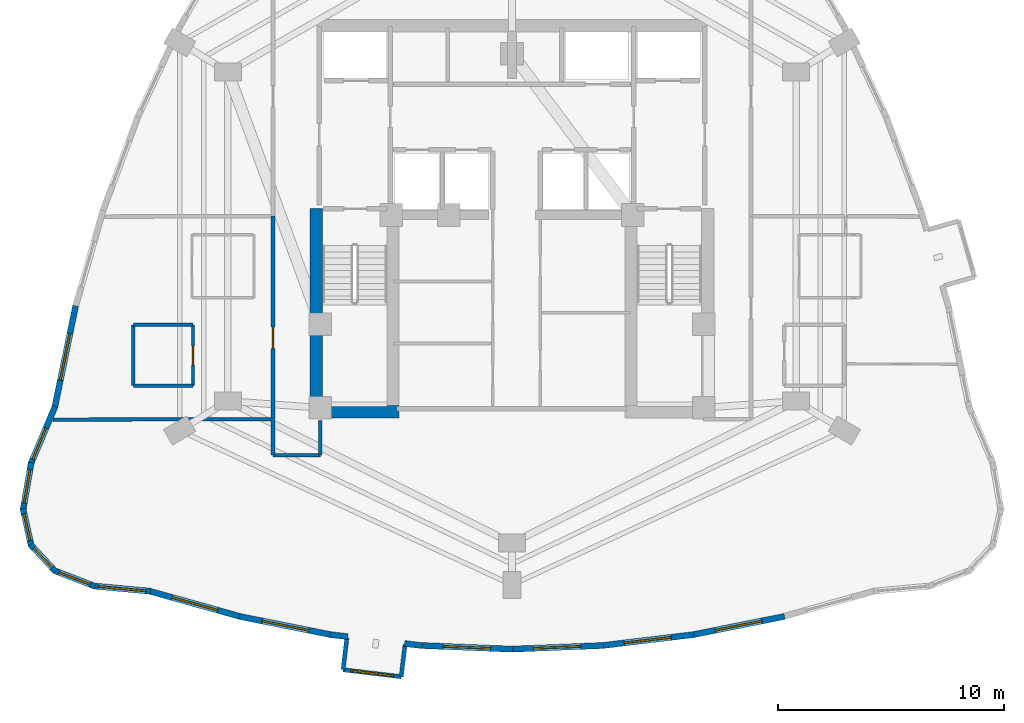
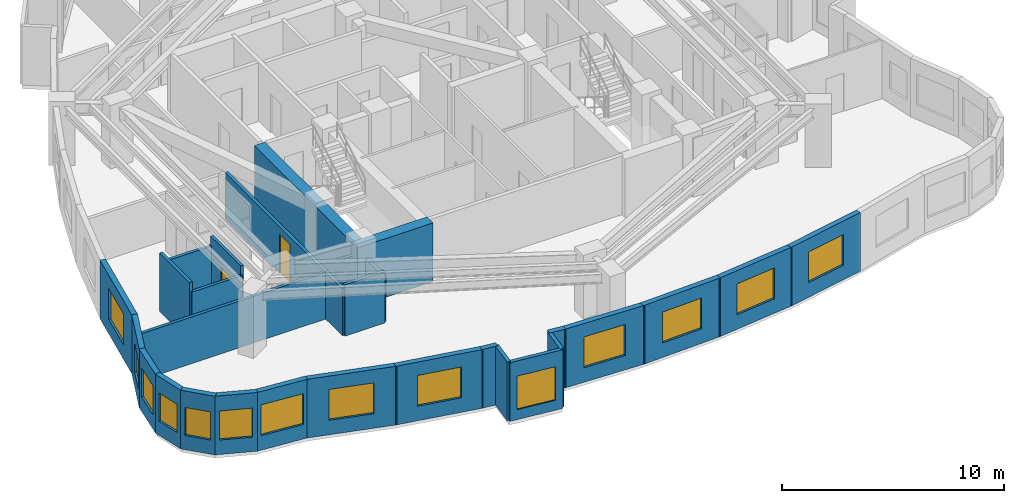
# One storey, part 3 of 9: 29 walls, 14 windows, 2 doors, 16 openings.
"""IFC4 building model written with IfcOpenShell, lengths in metres."""

from ifc_helpers import new_model, si_unit, direction, frame, frame_2d, origin, place, context, subcontext, project, spatial, rectangle, extrude, material, layer, layer_set, type_object, element, fill, save


model = new_model("IFC4")

# Units and contexts
model_context = context("Model", 3, precision=1e-05, world=origin(), true_north=direction((0.0, 1.0)))
body_context = subcontext(model_context, "Body", "Model", "MODEL_VIEW")
ifc_project = project(units=[si_unit("LENGTHUNIT", "METRE"), si_unit("AREAUNIT", "SQUARE_METRE"), si_unit("VOLUMEUNIT", "CUBIC_METRE"), si_unit("PLANEANGLEUNIT", "RADIAN"), si_unit("MASSUNIT", "GRAM", prefix="KILO")], contexts=[model_context])

# Site, building, storey
site_placement = place(None, origin())
site = spatial("IfcSite", under=ifc_project, at=site_placement, CompositionType="ELEMENT")
building_placement = place(site_placement, origin())
building = spatial("IfcBuilding", under=site, at=building_placement, Name="Miruveldt Soraemaru", CompositionType="ELEMENT")
storey_placement = place(building_placement, frame((0.0, 0.0, 135.39990234375)))
storey = spatial("IfcBuildingStorey", under=building, at=storey_placement, Name="L37", CompositionType="ELEMENT", Elevation=135.39990234375)

# Walls
ifc_material_1 = material(Name="White powder-coated aluminium EN AW-6060 T6", Category="aluminium")
ifc_layer_1 = layer(ifc_material_1, 0.18994140625, Name="White powder-coated aluminium EN AW-6060 T6", Category="aluminium")
ifc_layer_set_1 = layer_set([ifc_layer_1], Name="White powder-coated aluminium EN AW-6060 T6")
wall_type_1 = type_object("IfcWallType", Name="WALL-BAY-ALU190", PredefinedType="SOLIDWALL", material=ifc_layer_set_1)
for number, where, z_axis, x_axis, name in (
    (1, (36.677734375, 25.29931640625, 0.0), (0.0, 0.0, 1.0), (-0.119057405757, -0.992887372331, 0.0), "L37 Bay Window Side Cheek 1L"),
    (2, (39.089599609375, 23.574462890625, 0.0), (0.0, 0.0, 1.0), (0.119057405757, 0.992887372331, 0.0), "L37 Bay Window Side Cheek 1R"),
):
    element("IfcWall", number, at=place(storey_placement, frame(where, z_axis=z_axis, x_axis=x_axis)), inside=storey, type_object=wall_type_1, Name=name, PredefinedType="SOLIDWALL", context=body_context, shape_type="SweptSolid", body=[
        extrude(rectangle(XDim=1.42529296875, YDim=0.18994140625, at=frame_2d((0.712646484375, 0.0))), origin(), (0.0, 0.0, 1.0), 3.235107421875),
    ])

# Wall, opening, window
wall_1_placement = place(storey_placement, frame((36.508056640625, 23.88427734375, 0.0), z_axis=(0.0, 0.0, 1.0), x_axis=(0.99287550549, -0.119156328397, 0.0)))
wall_1 = element("IfcWall", 3, at=wall_1_placement, inside=storey, type_object=wall_type_1, Name="L37 Bay Window Front Frame 1", PredefinedType="SOLIDWALL", context=body_context, shape_type="SweptSolid", body=[
    extrude(rectangle(XDim=2.60009765625, YDim=0.18994140625, at=frame_2d((1.300048828125, 0.0))), origin(), (0.0, 0.0, 1.0), 3.235107421875),
])
opening_1_placement = place(wall_1_placement, frame((0.35009765625, 0.0, 0.550048828125)))
opening_1 = element("IfcOpeningElement", 4, at=opening_1_placement, cuts=wall_1, Name="Opening WN-6", PredefinedType="OPENING", context=body_context, shape_type="SweptSolid", body=[
    extrude(rectangle(XDim=1.89990234375, YDim=1.85009765625, at=frame_2d((0.949951171875, 0.925048828125))), frame((0.0, 0.10498046875, 0.0), z_axis=(0.0, -1.0, 0.0), x_axis=(1.0, 0.0, 0.0)), (0.0, 0.0, 1.0), 0.2099609375),
])
ifc_material_2 = material(Name="Triple low-e insulated glazing", Category="glass")
window_type_1 = type_object("IfcWindowType", Name="WIN-BAYW-1900x1850", PartitioningType="SINGLE_PANEL", PredefinedType="WINDOW", material=ifc_material_2)
window_1_placement = place(opening_1_placement, origin())
window_1 = element("IfcWindow", 5, at=window_1_placement, inside=storey, type_object=window_type_1, Name="L37 Projecting Bay Window 1", OverallHeight=1.85009765625, OverallWidth=1.89990234375, PartitioningType="SINGLE_PANEL", PredefinedType="WINDOW", context=body_context, shape_type="SweptSolid", body=[
    extrude(rectangle(XDim=1.89990234375, YDim=1.85009765625, at=frame_2d((0.949951171875, 0.925048828125))), frame((0.0, 0.030029296875, 0.0), z_axis=(0.0, -1.0, 0.0), x_axis=(1.0, 0.0, 0.0)), (0.0, 0.0, 1.0), 0.06005859375),
])
fill(opening_1, window_1)

# Walls
ifc_material_3 = material(Name="Concrete C70/85 (70 MPa)", Category="concrete")
ifc_layer_2 = layer(ifc_material_3, 0.550048828125, Name="Concrete C70/85 (70 MPa)", Category="concrete")
ifc_layer_set_2 = layer_set([ifc_layer_2], Name="Concrete C70/85 (70 MPa)")
wall_type_2 = type_object("IfcWallType", Name="WALL-CW-550", PredefinedType="SHEAR", material=ifc_layer_set_2)
wall_2_placement = place(storey_placement, frame((35.050048828125, 35.324951171875, 0.0), z_axis=(0.0, 0.0, 1.0), x_axis=(1.0, 0.0, 0.0)))
element("IfcWall", 6, at=wall_2_placement, inside=storey, type_object=wall_type_2, Name="L37 Central Core Shear Wall S1", PredefinedType="SHEAR", context=body_context, shape_type="SweptSolid", body=[
    extrude(rectangle(XDim=3.949951171875, YDim=0.550048828125, at=frame_2d((1.97509765625, 0.0))), origin(), (0.0, 0.0, 1.0), 3.235107421875),
])
wall_3_placement = place(storey_placement, frame((35.324951171875, 35.050048828125, 0.0), z_axis=(0.0, 0.0, 1.0), x_axis=(0.0, 1.0, 0.0)))
element("IfcWall", 7, at=wall_3_placement, inside=storey, type_object=wall_type_2, Name="L37 Central Core Shear Wall W1", PredefinedType="SHEAR", context=body_context, shape_type="SweptSolid", body=[
    extrude(rectangle(XDim=9.300048828125, YDim=0.550048828125, at=frame_2d((4.64990234375, 0.0))), origin(), (0.0, 0.0, 1.0), 3.235107421875),
])

# Wall, opening, window
ifc_material_4 = material(Name="Precast concrete C45/55 (45 MPa)", Category="concrete")
ifc_layer_3 = layer(ifc_material_4, 0.27001953125, Name="Precast concrete C45/55 (45 MPa)", Category="concrete")
ifc_layer_set_3 = layer_set([ifc_layer_3], Name="Precast concrete C45/55 (45 MPa)")
wall_type_3 = type_object("IfcWallType", Name="WALL-EXT-PC270", PredefinedType="SOLIDWALL", material=ifc_layer_set_3)
wall_4_placement = place(storey_placement, frame((24.6494140625, 40.02490234375, 0.0), z_axis=(0.0, 0.0, 1.0), x_axis=(-0.201588826085, -0.979470237015, 0.0)))
wall_4 = element("IfcWall", 8, at=wall_4_placement, inside=storey, type_object=wall_type_3, Name="L37 Precast Concrete Facade Wall 14", PredefinedType="SOLIDWALL", context=body_context, shape_type="SweptSolid", body=[
    extrude(rectangle(XDim=4.62158203125, YDim=0.27001953125, at=frame_2d((2.310791015625, 0.0))), origin(), (0.0, 0.0, 1.0), 3.235107421875),
])
opening_2_placement = place(wall_4_placement, frame((1.260986328125, 0.0, 0.800048828125)))
opening_2 = element("IfcOpeningElement", 9, at=opening_2_placement, cuts=wall_4, Name="Opening WN-1", PredefinedType="OPENING", context=body_context, shape_type="SweptSolid", body=[
    extrude(rectangle(XDim=2.10009765625, YDim=1.699951171875, at=frame_2d((1.050048828125, 0.85009765625))), frame((0.0, 0.14501953125, 0.0), z_axis=(0.0, -1.0, 0.0), x_axis=(1.0, 0.0, 0.0)), (0.0, 0.0, 1.0), 0.2900390625),
])
window_type_2 = type_object("IfcWindowType", Name="WIN-PUNCH-2100x1700", PartitioningType="SINGLE_PANEL", PredefinedType="WINDOW", material=ifc_material_2)
window_2_placement = place(opening_2_placement, origin())
window_2 = element("IfcWindow", 10, at=window_2_placement, inside=storey, type_object=window_type_2, Name="L37 Punched Triple-Glazed Window 14.1", OverallHeight=1.699951171875, OverallWidth=2.10009765625, PartitioningType="SINGLE_PANEL", PredefinedType="WINDOW", context=body_context, shape_type="SweptSolid", body=[
    extrude(rectangle(XDim=2.10009765625, YDim=1.699951171875, at=frame_2d((1.050048828125, 0.85009765625))), frame((0.0, 0.030029296875, 0.0), z_axis=(0.0, -1.0, 0.0), x_axis=(1.0, 0.0, 0.0)), (0.0, 0.0, 1.0), 0.06005859375),
])
fill(opening_2, window_2)

wall_5_placement = place(storey_placement, frame((23.73828125, 35.564697265625, 0.0), z_axis=(0.0, 0.0, 1.0), x_axis=(-0.38861888623, -0.921398589789, 0.0)))
wall_5 = element("IfcWall", 11, at=wall_5_placement, inside=storey, type_object=wall_type_3, Name="L37 Precast Concrete Facade Wall 15", PredefinedType="SOLIDWALL", context=body_context, shape_type="SweptSolid", body=[
    extrude(rectangle(XDim=2.77734375, YDim=0.27001953125, at=frame_2d((1.388671875, 0.0))), origin(), (0.0, 0.0, 1.0), 3.235107421875),
])
opening_3_placement = place(wall_5_placement, frame((1.047119140625, 0.0, 0.800048828125)))
opening_3 = element("IfcOpeningElement", 12, at=opening_3_placement, cuts=wall_5, Name="Opening WN-3", PredefinedType="OPENING", context=body_context, shape_type="SweptSolid", body=[
    extrude(rectangle(XDim=1.5, YDim=1.60009765625, at=frame_2d((0.75, 0.800048828125))), frame((0.0, 0.14501953125, 0.0), z_axis=(0.0, -1.0, 0.0), x_axis=(1.0, 0.0, 0.0)), (0.0, 0.0, 1.0), 0.2900390625),
])
window_type_3 = type_object("IfcWindowType", Name="WIN-PUNCH-1500x1600", PartitioningType="SINGLE_PANEL", PredefinedType="WINDOW", material=ifc_material_2)
window_3_placement = place(opening_3_placement, origin())
window_3 = element("IfcWindow", 13, at=window_3_placement, inside=storey, type_object=window_type_3, Name="L37 Punched Triple-Glazed Window 15.1", OverallHeight=1.60009765625, OverallWidth=1.5, PartitioningType="SINGLE_PANEL", PredefinedType="WINDOW", context=body_context, shape_type="SweptSolid", body=[
    extrude(rectangle(XDim=1.5, YDim=1.60009765625, at=frame_2d((0.75, 0.800048828125))), frame((0.0, 0.030029296875, 0.0), z_axis=(0.0, -1.0, 0.0), x_axis=(1.0, 0.0, 0.0)), (0.0, 0.0, 1.0), 0.06005859375),
])
fill(opening_3, window_3)

wall_6_placement = place(storey_placement, frame((22.678466796875, 33.072265625, 0.0), z_axis=(0.0, 0.0, 1.0), x_axis=(-0.169334105823, -0.985558704799, 0.0)))
wall_6 = element("IfcWall", 14, at=wall_6_placement, inside=storey, type_object=wall_type_3, Name="L37 Precast Concrete Facade Wall 16", PredefinedType="SOLIDWALL", context=body_context, shape_type="SweptSolid", body=[
    extrude(rectangle(XDim=2.14111328125, YDim=0.27001953125, at=frame_2d((1.070556640625, 0.0))), origin(), (0.0, 0.0, 1.0), 3.235107421875),
])
opening_4_placement = place(wall_6_placement, frame((0.321044921875, 0.0, 0.800048828125)))
opening_4 = element("IfcOpeningElement", 15, at=opening_4_placement, cuts=wall_6, Name="Opening WN-3", PredefinedType="OPENING", context=body_context, shape_type="SweptSolid", body=[
    extrude(rectangle(XDim=1.5, YDim=1.60009765625, at=frame_2d((0.75, 0.800048828125))), frame((0.0, 0.14501953125, 0.0), z_axis=(0.0, -1.0, 0.0), x_axis=(1.0, 0.0, 0.0)), (0.0, 0.0, 1.0), 0.2900390625),
])
window_4_placement = place(opening_4_placement, origin())
window_4 = element("IfcWindow", 16, at=window_4_placement, inside=storey, type_object=window_type_3, Name="L37 Punched Triple-Glazed Window 16.1", OverallHeight=1.60009765625, OverallWidth=1.5, PartitioningType="SINGLE_PANEL", PredefinedType="WINDOW", context=body_context, shape_type="SweptSolid", body=[
    extrude(rectangle(XDim=1.5, YDim=1.60009765625, at=frame_2d((0.75, 0.800048828125))), frame((0.0, 0.030029296875, 0.0), z_axis=(0.0, -1.0, 0.0), x_axis=(1.0, 0.0, 0.0)), (0.0, 0.0, 1.0), 0.06005859375),
])
fill(opening_4, window_4)

wall_7_placement = place(storey_placement, frame((22.314453125, 31.03076171875, 0.0), z_axis=(0.0, 0.0, 1.0), x_axis=(0.215649887065, -0.976470750309, 0.0)))
wall_7 = element("IfcWall", 17, at=wall_7_placement, inside=storey, type_object=wall_type_3, Name="L37 Precast Concrete Facade Wall 17", PredefinedType="SOLIDWALL", context=body_context, shape_type="SweptSolid", body=[
    extrude(rectangle(XDim=1.69580078125, YDim=0.27001953125, at=frame_2d((0.847900390625, 0.0))), origin(), (0.0, 0.0, 1.0), 3.235107421875),
])
opening_5_placement = place(wall_7_placement, frame((0.248046875, 0.0, 0.780029296875)))
opening_5 = element("IfcOpeningElement", 18, at=opening_5_placement, cuts=wall_7, Name="Opening WN-4", PredefinedType="OPENING", context=body_context, shape_type="SweptSolid", body=[
    extrude(rectangle(XDim=1.199951171875, YDim=1.550048828125, at=frame_2d((0.60009765625, 0.77490234375))), frame((0.0, 0.14501953125, 0.0), z_axis=(0.0, -1.0, 0.0), x_axis=(1.0, 0.0, 0.0)), (0.0, 0.0, 1.0), 0.2900390625),
])
window_type_4 = type_object("IfcWindowType", Name="WIN-PUNCH-1200x1550", PartitioningType="SINGLE_PANEL", PredefinedType="WINDOW", material=ifc_material_2)
window_5_placement = place(opening_5_placement, origin())
window_5 = element("IfcWindow", 19, at=window_5_placement, inside=storey, type_object=window_type_4, Name="L37 Punched Triple-Glazed Window 17.1", OverallHeight=1.550048828125, OverallWidth=1.199951171875, PartitioningType="SINGLE_PANEL", PredefinedType="WINDOW", context=body_context, shape_type="SweptSolid", body=[
    extrude(rectangle(XDim=1.199951171875, YDim=1.550048828125, at=frame_2d((0.60009765625, 0.77490234375))), frame((0.0, 0.030029296875, 0.0), z_axis=(0.0, -1.0, 0.0), x_axis=(1.0, 0.0, 0.0)), (0.0, 0.0, 1.0), 0.06005859375),
])
fill(opening_5, window_5)

wall_8_placement = place(storey_placement, frame((22.648681640625, 29.434814453125, 0.0), z_axis=(0.0, 0.0, 1.0), x_axis=(0.680115173662, -0.733105279312, 0.0)))
wall_8 = element("IfcWall", 20, at=wall_8_placement, inside=storey, type_object=wall_type_3, Name="L37 Precast Concrete Facade Wall 18", PredefinedType="SOLIDWALL", context=body_context, shape_type="SweptSolid", body=[
    extrude(rectangle(XDim=1.6171875, YDim=0.27001953125, at=frame_2d((0.80859375, 0.0))), origin(), (0.0, 0.0, 1.0), 3.235107421875),
])
opening_6_placement = place(wall_8_placement, frame((0.208984375, 0.0, 0.780029296875)))
opening_6 = element("IfcOpeningElement", 21, at=opening_6_placement, cuts=wall_8, Name="Opening WN-4", PredefinedType="OPENING", context=body_context, shape_type="SweptSolid", body=[
    extrude(rectangle(XDim=1.199951171875, YDim=1.550048828125, at=frame_2d((0.60009765625, 0.77490234375))), frame((0.0, 0.14501953125, 0.0), z_axis=(0.0, -1.0, 0.0), x_axis=(1.0, 0.0, 0.0)), (0.0, 0.0, 1.0), 0.2900390625),
])
window_6_placement = place(opening_6_placement, origin())
window_6 = element("IfcWindow", 22, at=window_6_placement, inside=storey, type_object=window_type_4, Name="L37 Punched Triple-Glazed Window 18.1", OverallHeight=1.550048828125, OverallWidth=1.199951171875, PartitioningType="SINGLE_PANEL", PredefinedType="WINDOW", context=body_context, shape_type="SweptSolid", body=[
    extrude(rectangle(XDim=1.199951171875, YDim=1.550048828125, at=frame_2d((0.60009765625, 0.77490234375))), frame((0.0, 0.030029296875, 0.0), z_axis=(0.0, -1.0, 0.0), x_axis=(1.0, 0.0, 0.0)), (0.0, 0.0, 1.0), 0.06005859375),
])
fill(opening_6, window_6)

wall_9_placement = place(storey_placement, frame((23.692138671875, 28.28759765625, 0.0), z_axis=(0.0, 0.0, 1.0), x_axis=(0.932267447774, -0.361769824364, 0.0)))
wall_9 = element("IfcWall", 23, at=wall_9_placement, inside=storey, type_object=wall_type_3, Name="L37 Precast Concrete Facade Wall 19", PredefinedType="SOLIDWALL", context=body_context, shape_type="SweptSolid", body=[
    extrude(rectangle(XDim=1.950927734375, YDim=0.27001953125, at=frame_2d((0.9755859375, 0.0))), origin(), (0.0, 0.0, 1.0), 3.235107421875),
])
opening_7_placement = place(wall_9_placement, frame((0.22509765625, 0.0, 0.800048828125)))
opening_7 = element("IfcOpeningElement", 24, at=opening_7_placement, cuts=wall_9, Name="Opening WN-3", PredefinedType="OPENING", context=body_context, shape_type="SweptSolid", body=[
    extrude(rectangle(XDim=1.5, YDim=1.60009765625, at=frame_2d((0.75, 0.800048828125))), frame((0.0, 0.14501953125, 0.0), z_axis=(0.0, -1.0, 0.0), x_axis=(1.0, 0.0, 0.0)), (0.0, 0.0, 1.0), 0.2900390625),
])
window_7_placement = place(opening_7_placement, origin())
window_7 = element("IfcWindow", 25, at=window_7_placement, inside=storey, type_object=window_type_3, Name="L37 Punched Triple-Glazed Window 19.1", OverallHeight=1.60009765625, OverallWidth=1.5, PartitioningType="SINGLE_PANEL", PredefinedType="WINDOW", context=body_context, shape_type="SweptSolid", body=[
    extrude(rectangle(XDim=1.5, YDim=1.60009765625, at=frame_2d((0.75, 0.800048828125))), frame((0.0, 0.030029296875, 0.0), z_axis=(0.0, -1.0, 0.0), x_axis=(1.0, 0.0, 0.0)), (0.0, 0.0, 1.0), 0.06005859375),
])
fill(opening_7, window_7)

wall_10_placement = place(storey_placement, frame((25.443603515625, 27.597900390625, 0.0), z_axis=(0.0, 0.0, 1.0), x_axis=(0.995754739811, -0.092046173976, 0.0)))
wall_10 = element("IfcWall", 26, at=wall_10_placement, inside=storey, type_object=wall_type_3, Name="L37 Precast Concrete Facade Wall 20", PredefinedType="SOLIDWALL", context=body_context, shape_type="SweptSolid", body=[
    extrude(rectangle(XDim=2.53564453125, YDim=0.27001953125, at=frame_2d((1.267822265625, 0.0))), origin(), (0.0, 0.0, 1.0), 3.235107421875),
])
opening_8_placement = place(wall_10_placement, frame((0.218017578125, 0.0, 0.800048828125)))
opening_8 = element("IfcOpeningElement", 27, at=opening_8_placement, cuts=wall_10, Name="Opening WN-1", PredefinedType="OPENING", context=body_context, shape_type="SweptSolid", body=[
    extrude(rectangle(XDim=2.10009765625, YDim=1.699951171875, at=frame_2d((1.050048828125, 0.85009765625))), frame((0.0, 0.14501953125, 0.0), z_axis=(0.0, -1.0, 0.0), x_axis=(1.0, 0.0, 0.0)), (0.0, 0.0, 1.0), 0.2900390625),
])
window_8_placement = place(opening_8_placement, origin())
window_8 = element("IfcWindow", 28, at=window_8_placement, inside=storey, type_object=window_type_2, Name="L37 Punched Triple-Glazed Window 20.1", OverallHeight=1.699951171875, OverallWidth=2.10009765625, PartitioningType="SINGLE_PANEL", PredefinedType="WINDOW", context=body_context, shape_type="SweptSolid", body=[
    extrude(rectangle(XDim=2.10009765625, YDim=1.699951171875, at=frame_2d((1.050048828125, 0.85009765625))), frame((0.0, 0.030029296875, 0.0), z_axis=(0.0, -1.0, 0.0), x_axis=(1.0, 0.0, 0.0)), (0.0, 0.0, 1.0), 0.06005859375),
])
fill(opening_8, window_8)

wall_11_placement = place(storey_placement, frame((27.89990234375, 27.377197265625, 0.0), z_axis=(0.0, 0.0, 1.0), x_axis=(0.962976574029, -0.269585084659, 0.0)))
wall_11 = element("IfcWall", 29, at=wall_11_placement, inside=storey, type_object=wall_type_3, Name="L37 Precast Concrete Facade Wall 21", PredefinedType="SOLIDWALL", context=body_context, shape_type="SweptSolid", body=[
    extrude(rectangle(XDim=4.240966796875, YDim=0.27001953125, at=frame_2d((2.12060546875, 0.0))), origin(), (0.0, 0.0, 1.0), 3.235107421875),
])
opening_9_placement = place(wall_11_placement, frame((1.070068359375, 0.0, 0.800048828125)))
opening_9 = element("IfcOpeningElement", 30, at=opening_9_placement, cuts=wall_11, Name="Opening WN-1", PredefinedType="OPENING", context=body_context, shape_type="SweptSolid", body=[
    extrude(rectangle(XDim=2.10009765625, YDim=1.699951171875, at=frame_2d((1.050048828125, 0.85009765625))), frame((0.0, 0.14501953125, 0.0), z_axis=(0.0, -1.0, 0.0), x_axis=(1.0, 0.0, 0.0)), (0.0, 0.0, 1.0), 0.2900390625),
])
window_9_placement = place(opening_9_placement, origin())
window_9 = element("IfcWindow", 31, at=window_9_placement, inside=storey, type_object=window_type_2, Name="L37 Punched Triple-Glazed Window 21.1", OverallHeight=1.699951171875, OverallWidth=2.10009765625, PartitioningType="SINGLE_PANEL", PredefinedType="WINDOW", context=body_context, shape_type="SweptSolid", body=[
    extrude(rectangle(XDim=2.10009765625, YDim=1.699951171875, at=frame_2d((1.050048828125, 0.85009765625))), frame((0.0, 0.030029296875, 0.0), z_axis=(0.0, -1.0, 0.0), x_axis=(1.0, 0.0, 0.0)), (0.0, 0.0, 1.0), 0.06005859375),
])
fill(opening_9, window_9)

wall_12_placement = place(storey_placement, frame((31.916015625, 26.25, 0.0), z_axis=(0.0, 0.0, 1.0), x_axis=(0.980587436878, -0.19608232617, 0.0)))
wall_12 = element("IfcWall", 32, at=wall_12_placement, inside=storey, type_object=wall_type_3, Name="L37 Precast Concrete Facade Wall 22", PredefinedType="SOLIDWALL", context=body_context, shape_type="SweptSolid", body=[
    extrude(rectangle(XDim=4.166015625, YDim=0.27001953125, at=frame_2d((2.0830078125, 0.0))), origin(), (0.0, 0.0, 1.0), 3.235107421875),
])
opening_10_placement = place(wall_12_placement, frame((1.032958984375, 0.0, 0.800048828125)))
opening_10 = element("IfcOpeningElement", 33, at=opening_10_placement, cuts=wall_12, Name="Opening WN-1", PredefinedType="OPENING", context=body_context, shape_type="SweptSolid", body=[
    extrude(rectangle(XDim=2.10009765625, YDim=1.699951171875, at=frame_2d((1.050048828125, 0.85009765625))), frame((0.0, 0.14501953125, 0.0), z_axis=(0.0, -1.0, 0.0), x_axis=(1.0, 0.0, 0.0)), (0.0, 0.0, 1.0), 0.2900390625),
])
window_10_placement = place(opening_10_placement, origin())
window_10 = element("IfcWindow", 34, at=window_10_placement, inside=storey, type_object=window_type_2, Name="L37 Punched Triple-Glazed Window 22.1", OverallHeight=1.699951171875, OverallWidth=2.10009765625, PartitioningType="SINGLE_PANEL", PredefinedType="WINDOW", context=body_context, shape_type="SweptSolid", body=[
    extrude(rectangle(XDim=2.10009765625, YDim=1.699951171875, at=frame_2d((1.050048828125, 0.85009765625))), frame((0.0, 0.030029296875, 0.0), z_axis=(0.0, -1.0, 0.0), x_axis=(1.0, 0.0, 0.0)), (0.0, 0.0, 1.0), 0.06005859375),
])
fill(opening_10, window_10)

# Walls
for number, where, z_axis, x_axis, name in (
    (35, (35.931884765625, 25.444091796875, 0.0), (0.0, 0.0, 1.0), (0.992857763718, -0.11930406961, 0.0), "L37 Precast Pier Wall 23A"),
    (36, (39.236083984375, 25.047607421875, 0.0), (0.0, 0.0, 1.0), (0.992857763718, -0.11930406961, 0.0), "L37 Precast Pier Wall 23B"),
):
    element("IfcWall", number, at=place(storey_placement, frame(where, z_axis=z_axis, x_axis=x_axis)), inside=storey, type_object=wall_type_3, Name=name, PredefinedType="SOLIDWALL", context=body_context, shape_type="SweptSolid", body=[
        extrude(rectangle(XDim=0.787841796875, YDim=0.27001953125, at=frame_2d((0.39404296875, 0.0))), origin(), (0.0, 0.0, 1.0), 3.235107421875),
    ])

# Wall, opening, window
wall_13_placement = place(storey_placement, frame((39.948486328125, 24.959228515625, 0.0), z_axis=(0.0, 0.0, 1.0), x_axis=(0.999202197948, -0.03993704567, 0.0)))
wall_13 = element("IfcWall", 37, at=wall_13_placement, inside=storey, type_object=wall_type_3, Name="L37 Precast Concrete Facade Wall 24", PredefinedType="SOLIDWALL", context=body_context, shape_type="SweptSolid", body=[
    extrude(rectangle(XDim=4.089599609375, YDim=0.27001953125, at=frame_2d((2.044921875, 0.0))), origin(), (0.0, 0.0, 1.0), 3.235107421875),
])
opening_11_placement = place(wall_13_placement, frame((0.9951171875, 0.0, 0.800048828125)))
opening_11 = element("IfcOpeningElement", 38, at=opening_11_placement, cuts=wall_13, Name="Opening WN-1", PredefinedType="OPENING", context=body_context, shape_type="SweptSolid", body=[
    extrude(rectangle(XDim=2.10009765625, YDim=1.699951171875, at=frame_2d((1.050048828125, 0.85009765625))), frame((0.0, 0.14501953125, 0.0), z_axis=(0.0, -1.0, 0.0), x_axis=(1.0, 0.0, 0.0)), (0.0, 0.0, 1.0), 0.2900390625),
])
window_11_placement = place(opening_11_placement, origin())
window_11 = element("IfcWindow", 39, at=window_11_placement, inside=storey, type_object=window_type_2, Name="L37 Punched Triple-Glazed Window 24.1", OverallHeight=1.699951171875, OverallWidth=2.10009765625, PartitioningType="SINGLE_PANEL", PredefinedType="WINDOW", context=body_context, shape_type="SweptSolid", body=[
    extrude(rectangle(XDim=2.10009765625, YDim=1.699951171875, at=frame_2d((1.050048828125, 0.85009765625))), frame((0.0, 0.030029296875, 0.0), z_axis=(0.0, -1.0, 0.0), x_axis=(1.0, 0.0, 0.0)), (0.0, 0.0, 1.0), 0.06005859375),
])
fill(opening_11, window_11)

wall_14_placement = place(storey_placement, frame((43.965087890625, 24.7958984375, 0.0), z_axis=(0.0, 0.0, 1.0), x_axis=(0.999202197948, 0.03993704567, 0.0)))
wall_14 = element("IfcWall", 40, at=wall_14_placement, inside=storey, type_object=wall_type_3, Name="L37 Precast Concrete Facade Wall 25", PredefinedType="SOLIDWALL", context=body_context, shape_type="SweptSolid", body=[
    extrude(rectangle(XDim=4.089599609375, YDim=0.27001953125, at=frame_2d((2.044921875, 0.0))), origin(), (0.0, 0.0, 1.0), 3.235107421875),
])
opening_12_placement = place(wall_14_placement, frame((0.9951171875, 0.0, 0.800048828125)))
opening_12 = element("IfcOpeningElement", 41, at=opening_12_placement, cuts=wall_14, Name="Opening WN-1", PredefinedType="OPENING", context=body_context, shape_type="SweptSolid", body=[
    extrude(rectangle(XDim=2.10009765625, YDim=1.699951171875, at=frame_2d((1.050048828125, 0.85009765625))), frame((0.0, 0.14501953125, 0.0), z_axis=(0.0, -1.0, 0.0), x_axis=(1.0, 0.0, 0.0)), (0.0, 0.0, 1.0), 0.2900390625),
])
window_12_placement = place(opening_12_placement, origin())
window_12 = element("IfcWindow", 42, at=window_12_placement, inside=storey, type_object=window_type_2, Name="L37 Punched Triple-Glazed Window 25.1", OverallHeight=1.699951171875, OverallWidth=2.10009765625, PartitioningType="SINGLE_PANEL", PredefinedType="WINDOW", context=body_context, shape_type="SweptSolid", body=[
    extrude(rectangle(XDim=2.10009765625, YDim=1.699951171875, at=frame_2d((1.050048828125, 0.85009765625))), frame((0.0, 0.030029296875, 0.0), z_axis=(0.0, -1.0, 0.0), x_axis=(1.0, 0.0, 0.0)), (0.0, 0.0, 1.0), 0.06005859375),
])
fill(opening_12, window_12)

wall_15_placement = place(storey_placement, frame((47.981689453125, 24.95361328125, 0.0), z_axis=(0.0, 0.0, 1.0), x_axis=(0.992873750595, 0.11917095023, 0.0)))
wall_15 = element("IfcWall", 43, at=wall_15_placement, inside=storey, type_object=wall_type_3, Name="L37 Precast Concrete Facade Wall 26", PredefinedType="SOLIDWALL", context=body_context, shape_type="SweptSolid", body=[
    extrude(rectangle(XDim=4.11572265625, YDim=0.27001953125, at=frame_2d((2.057861328125, 0.0))), origin(), (0.0, 0.0, 1.0), 3.235107421875),
])
opening_13_placement = place(wall_15_placement, frame((1.008056640625, 0.0, 0.800048828125)))
opening_13 = element("IfcOpeningElement", 44, at=opening_13_placement, cuts=wall_15, Name="Opening WN-1", PredefinedType="OPENING", context=body_context, shape_type="SweptSolid", body=[
    extrude(rectangle(XDim=2.10009765625, YDim=1.699951171875, at=frame_2d((1.050048828125, 0.85009765625))), frame((0.0, 0.14501953125, 0.0), z_axis=(0.0, -1.0, 0.0), x_axis=(1.0, 0.0, 0.0)), (0.0, 0.0, 1.0), 0.2900390625),
])
window_13_placement = place(opening_13_placement, origin())
window_13 = element("IfcWindow", 45, at=window_13_placement, inside=storey, type_object=window_type_2, Name="L37 Punched Triple-Glazed Window 26.1", OverallHeight=1.699951171875, OverallWidth=2.10009765625, PartitioningType="SINGLE_PANEL", PredefinedType="WINDOW", context=body_context, shape_type="SweptSolid", body=[
    extrude(rectangle(XDim=2.10009765625, YDim=1.699951171875, at=frame_2d((1.050048828125, 0.85009765625))), frame((0.0, 0.030029296875, 0.0), z_axis=(0.0, -1.0, 0.0), x_axis=(1.0, 0.0, 0.0)), (0.0, 0.0, 1.0), 0.06005859375),
])
fill(opening_13, window_13)

wall_16_placement = place(storey_placement, frame((51.998779296875, 25.43310546875, 0.0), z_axis=(0.0, 0.0, 1.0), x_axis=(0.980587436878, 0.19608232617, 0.0)))
wall_16 = element("IfcWall", 46, at=wall_16_placement, inside=storey, type_object=wall_type_3, Name="L37 Precast Concrete Facade Wall 27", PredefinedType="SOLIDWALL", context=body_context, shape_type="SweptSolid", body=[
    extrude(rectangle(XDim=4.166015625, YDim=0.27001953125, at=frame_2d((2.0830078125, 0.0))), origin(), (0.0, 0.0, 1.0), 3.235107421875),
])
opening_14_placement = place(wall_16_placement, frame((1.032958984375, 0.0, 0.800048828125)))
opening_14 = element("IfcOpeningElement", 47, at=opening_14_placement, cuts=wall_16, Name="Opening WN-1", PredefinedType="OPENING", context=body_context, shape_type="SweptSolid", body=[
    extrude(rectangle(XDim=2.10009765625, YDim=1.699951171875, at=frame_2d((1.050048828125, 0.85009765625))), frame((0.0, 0.14501953125, 0.0), z_axis=(0.0, -1.0, 0.0), x_axis=(1.0, 0.0, 0.0)), (0.0, 0.0, 1.0), 0.2900390625),
])
window_14_placement = place(opening_14_placement, origin())
window_14 = element("IfcWindow", 48, at=window_14_placement, inside=storey, type_object=window_type_2, Name="L37 Punched Triple-Glazed Window 27.1", OverallHeight=1.699951171875, OverallWidth=2.10009765625, PartitioningType="SINGLE_PANEL", PredefinedType="WINDOW", context=body_context, shape_type="SweptSolid", body=[
    extrude(rectangle(XDim=2.10009765625, YDim=1.699951171875, at=frame_2d((1.050048828125, 0.85009765625))), frame((0.0, 0.030029296875, 0.0), z_axis=(0.0, -1.0, 0.0), x_axis=(1.0, 0.0, 0.0)), (0.0, 0.0, 1.0), 0.06005859375),
])
fill(opening_14, window_14)

# Wall, opening, door
ifc_material_5 = material(Name="Gypsum plasterboard lining", Category="gypsum")
ifc_layer_4 = layer(ifc_material_5, 0.14990234375, Name="Gypsum plasterboard lining", Category="gypsum")
ifc_layer_set_4 = layer_set([ifc_layer_4], Name="Gypsum plasterboard lining")
wall_type_4 = type_object("IfcWallType", Name="WALL-INT-PLUMB", PredefinedType="PLUMBINGWALL", material=ifc_layer_set_4)
wall_17_placement = place(storey_placement, frame((29.85498046875, 36.47998046875, 0.0), z_axis=(0.0, 0.0, 1.0), x_axis=(0.0, 1.0, 0.0)))
wall_17 = element("IfcWall", 49, at=wall_17_placement, inside=storey, type_object=wall_type_4, Name="L37 Partition Wall 29", PredefinedType="PLUMBINGWALL", context=body_context, shape_type="SweptSolid", body=[
    extrude(rectangle(XDim=2.699951171875, YDim=0.14990234375, at=frame_2d((1.35009765625, 0.0))), origin(), (0.0, 0.0, 1.0), 3.235107421875),
])
opening_15_placement = place(wall_17_placement, frame((0.909912109375, 0.0, 0.0)))
opening_15 = element("IfcOpeningElement", 50, at=opening_15_placement, cuts=wall_17, Name="Opening FD3", PredefinedType="OPENING", context=body_context, shape_type="SweptSolid", body=[
    extrude(rectangle(XDim=0.85009765625, YDim=2.10009765625, at=frame_2d((0.425048828125, 1.050048828125))), frame((0.0, 0.0849609375, 0.0), z_axis=(0.0, -1.0, 0.0), x_axis=(1.0, 0.0, 0.0)), (0.0, 0.0, 1.0), 0.169921875),
])
ifc_material_6 = material(Name="Anodised aluminium EN AW-6063 T6", Category="aluminium")
door_type_1 = type_object("IfcDoorType", Name="DOOR-FD3-850", OperationType="NOTDEFINED", PredefinedType="DOOR", material=ifc_material_6)
door_1_placement = place(opening_15_placement, origin())
door_1 = element("IfcDoor", 51, at=door_1_placement, inside=storey, type_object=door_type_1, Name="L37 Unit 3705 BTH Door", OperationType="SINGLE_SWING_LEFT", OverallHeight=2.10009765625, OverallWidth=0.85009765625, PredefinedType="DOOR", context=body_context, shape_type="SweptSolid", body=[
    extrude(rectangle(XDim=0.85009765625, YDim=2.10009765625, at=frame_2d((0.425048828125, 1.050048828125))), frame((0.0, 0.02490234375, 0.0), z_axis=(0.0, -1.0, 0.0), x_axis=(1.0, 0.0, 0.0)), (0.0, 0.0, 1.0), 0.050048828125),
])
fill(opening_15, door_1)

# Walls
wall_18_placement = place(storey_placement, frame((27.205078125, 39.179931640625, 0.0), z_axis=(0.0, 0.0, 1.0), x_axis=(0.0, -1.0, 0.0)))
element("IfcWall", 52, at=wall_18_placement, inside=storey, type_object=wall_type_4, Name="L37 Partition Wall 31", PredefinedType="PLUMBINGWALL", context=body_context, shape_type="SweptSolid", body=[
    extrude(rectangle(XDim=2.699951171875, YDim=0.14990234375, at=frame_2d((1.35009765625, 0.0))), origin(), (0.0, 0.0, 1.0), 3.235107421875),
])
for number, where, z_axis, x_axis, name in (
    (53, (29.85498046875, 39.179931640625, 0.0), (0.0, 0.0, 1.0), (-1.0, 0.0, 0.0), "L37 Partition Wall 30"),
    (54, (27.205078125, 36.47998046875, 0.0), (0.0, 0.0, 1.0), (1.0, 0.0, 0.0), "L37 Partition Wall 32"),
):
    element("IfcWall", number, at=place(storey_placement, frame(where, z_axis=z_axis, x_axis=x_axis)), inside=storey, type_object=wall_type_4, Name=name, PredefinedType="PLUMBINGWALL", context=body_context, shape_type="SweptSolid", body=[
        extrude(rectangle(XDim=2.64990234375, YDim=0.14990234375, at=frame_2d((1.324951171875, 0.0))), origin(), (0.0, 0.0, 1.0), 2.72314453125),
    ])

# Wall, opening, door
ifc_material_7 = material(Name="Concrete C40/50 (40 MPa)", Category="concrete")
ifc_layer_5 = layer(ifc_material_7, 0.159912109375, Name="Concrete C40/50 (40 MPa)", Category="concrete")
ifc_layer_set_5 = layer_set([ifc_layer_5], Name="Concrete C40/50 (40 MPa)")
wall_type_5 = type_object("IfcWallType", Name="WALL-INT-RC160", PredefinedType="SOLIDWALL", material=ifc_layer_set_5)
wall_19_placement = place(storey_placement, frame((33.39990234375, 44.0, 0.0), z_axis=(0.0, 0.0, 1.0), x_axis=(0.0, -1.0, 0.0)))
wall_19 = element("IfcWall", 55, at=wall_19_placement, inside=storey, type_object=wall_type_5, Name="L37 Partition Wall 5", PredefinedType="SOLIDWALL", context=body_context, shape_type="SweptSolid", body=[
    extrude(rectangle(XDim=9.0, YDim=0.159912109375, at=frame_2d((4.5, 0.0))), origin(), (0.0, 0.0, 1.0), 2.572998046875),
])
opening_16_placement = place(wall_19_placement, frame((4.925048828125, 0.0, 0.0)))
opening_16 = element("IfcOpeningElement", 56, at=opening_16_placement, cuts=wall_19, Name="Opening FD2", PredefinedType="OPENING", context=body_context, shape_type="SweptSolid", body=[
    extrude(rectangle(XDim=0.949951171875, YDim=2.14990234375, at=frame_2d((0.47509765625, 1.074951171875))), frame((0.0, 0.08984375, 0.0), z_axis=(0.0, -1.0, 0.0), x_axis=(1.0, 0.0, 0.0)), (0.0, 0.0, 1.0), 0.179931640625),
])
door_type_2 = type_object("IfcDoorType", Name="DOOR-FD2-950", OperationType="NOTDEFINED", PredefinedType="DOOR", material=ifc_material_6)
door_2_placement = place(opening_16_placement, origin())
door_2 = element("IfcDoor", 57, at=door_2_placement, inside=storey, type_object=door_type_2, Name="L37 Unit 3705 Entrance Fire Door", OperationType="SINGLE_SWING_RIGHT", OverallHeight=2.14990234375, OverallWidth=0.949951171875, PredefinedType="DOOR", context=body_context, shape_type="SweptSolid", body=[
    extrude(rectangle(XDim=0.949951171875, YDim=2.14990234375, at=frame_2d((0.47509765625, 1.074951171875))), frame((0.0, 0.02490234375, 0.0), z_axis=(0.0, -1.0, 0.0), x_axis=(1.0, 0.0, 0.0)), (0.0, 0.0, 1.0), 0.050048828125),
])
fill(opening_16, door_2)

# Walls
wall_20_placement = place(storey_placement, frame((23.653076171875, 34.97607421875, 0.0), z_axis=(0.0, 0.0, 1.0), x_axis=(0.999996932096, 0.002477054302, 0.0)))
element("IfcWall", 58, at=wall_20_placement, inside=storey, type_object=wall_type_5, Name="L37 Partition Wall 37", PredefinedType="SOLIDWALL", context=body_context, shape_type="SweptSolid", body=[
    extrude(rectangle(XDim=9.658935546875, YDim=0.159912109375, at=frame_2d((4.82958984375, 0.0))), origin(), (0.0, 0.0, 1.0), 2.572998046875),
])
wall_21_placement = place(storey_placement, frame((33.39990234375, 33.39990234375, 0.0), z_axis=(0.0, 0.0, 1.0), x_axis=(1.0, 0.0, 0.0)))
element("IfcWall", 59, at=wall_21_placement, inside=storey, type_object=wall_type_5, Name="L37 Partition Wall 8", PredefinedType="SOLIDWALL", context=body_context, shape_type="SweptSolid", body=[
    extrude(rectangle(XDim=2.10009765625, YDim=0.159912109375, at=frame_2d((1.050048828125, 0.0))), origin(), (0.0, 0.0, 1.0), 2.822998046875),
])
wall_22_placement = place(storey_placement, frame((33.39990234375, 34.991943359375, 0.0), z_axis=(0.0, 0.0, 1.0), x_axis=(0.0, -1.0, 0.0)))
element("IfcWall", 60, at=wall_22_placement, inside=storey, type_object=wall_type_5, Name="L37 Partition Wall 7", PredefinedType="SOLIDWALL", context=body_context, shape_type="SweptSolid", body=[
    extrude(rectangle(XDim=1.592041015625, YDim=0.159912109375, at=frame_2d((0.7958984375, 0.0))), origin(), (0.0, 0.0, 1.0), 2.572998046875),
])
wall_23_placement = place(storey_placement, frame((35.5, 33.39990234375, 0.0), z_axis=(0.0, 0.0, 1.0), x_axis=(0.0, 1.0, 0.0)))
element("IfcWall", 61, at=wall_23_placement, inside=storey, type_object=wall_type_5, Name="L37 Partition Wall 9", PredefinedType="SOLIDWALL", context=body_context, shape_type="SweptSolid", body=[
    extrude(rectangle(XDim=1.5419921875, YDim=0.159912109375, at=frame_2d((0.77099609375, 0.0))), origin(), (0.0, 0.0, 1.0), 2.572998046875),
])

save(model, "model.ifc")
